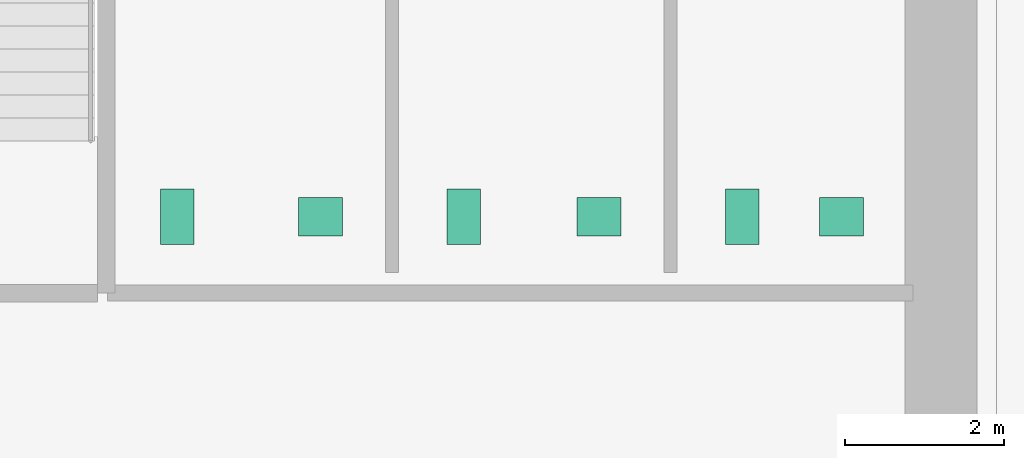
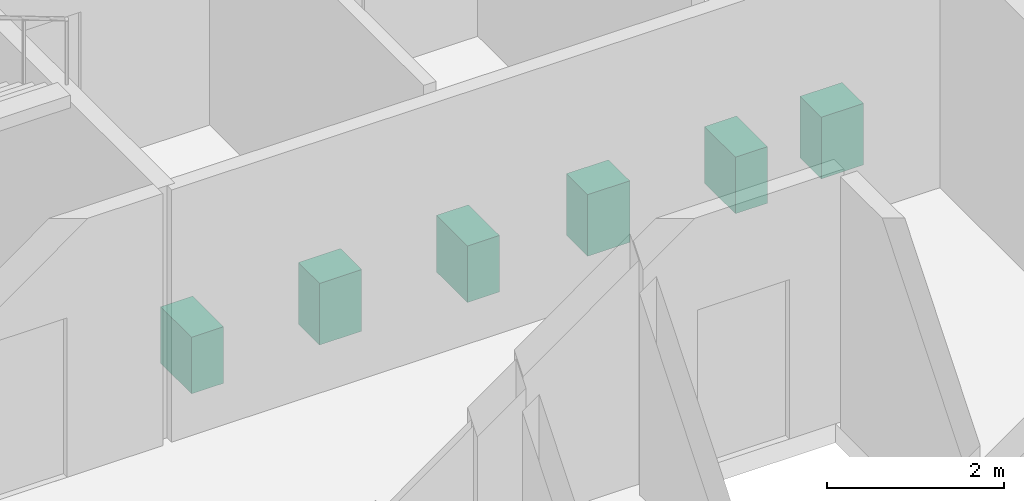
# One storey, part 15 of 15: 6 sanitary terminals.
"""IFC4 building model written with IfcOpenShell, lengths in metres."""

import ifcopenshell
import ifcopenshell.guid

model = None  # the IFC model being written
_history = None  # IfcOwnerHistory: only IFC2X3 demands one
_inside = {}  # id of a spatial element -> (the spatial element, [elements in it])
_under = {}  # id of a project, library or spatial element -> (it, [spatial elements below it])
_declared = {}  # id of a project -> (the project, [libraries it declares])
_typed = {}  # id of a type object -> (the type object, [elements of that type])
_made_of = {}  # id of a material, layer set ... -> (it, [elements and type objects made of it])


def new_model(schema):
    """Start an empty IFC model of exactly this schema.

    Asked for "IFC4X3", IfcOpenShell would pick the latest addendum, in which some entities
    have other attributes; the version numbers below select the first issue.
    IFC2X3 requires an IfcOwnerHistory on every rooted entity: one is made here for all.
    """
    global model, _history
    if schema == "IFC4X3":
        model = ifcopenshell.file(schema_version=(4, 3, 0, 0))
    else:
        model = ifcopenshell.file(schema=schema)
    _inside.clear()
    _under.clear()
    _declared.clear()
    _typed.clear()
    _made_of.clear()
    _history = None
    if model.schema == "IFC2X3":
        org = make("IfcOrganization", Name="unknown")
        user = make(
            "IfcPersonAndOrganization",
            ThePerson=make("IfcPerson", FamilyName="unknown"),
            TheOrganization=org,
        )
        app = make(
            "IfcApplication",
            ApplicationDeveloper=org,
            Version="unknown",
            ApplicationFullName="unknown",
            ApplicationIdentifier="unknown",
        )
        _history = make(
            "IfcOwnerHistory",
            OwningUser=user,
            OwningApplication=app,
            ChangeAction="ADDED",
            CreationDate=0,
        )
    return model


def make(cls, **values):
    """One entity of the class cls with the attributes given. An attribute that is None is left unset."""
    return model.create_entity(
        cls, **{name: value for name, value in values.items() if value is not None}
    )


def rooted(cls, **values):
    """An entity with a GlobalId (a new one), such as an element, a storey or a relation."""
    return make(cls, GlobalId=ifcopenshell.guid.new(), OwnerHistory=_history, **values)


def si_unit(unit_type, name, prefix=None):
    """IfcSIUnit, for example si_unit("LENGTHUNIT", "METRE", prefix="MILLI")."""
    return make("IfcSIUnit", UnitType=unit_type, Prefix=prefix, Name=name)


def assignment(units):
    """IfcUnitAssignment: the units of a project."""
    return None if units is None else make("IfcUnitAssignment", Units=units)


def point(xyz):
    """IfcCartesianPoint."""
    return None if xyz is None else make("IfcCartesianPoint", Coordinates=xyz)


def direction(xyz):
    """IfcDirection."""
    return None if xyz is None else make("IfcDirection", DirectionRatios=xyz)


def frame(location, z_axis=None, x_axis=None):
    """IfcAxis2Placement3D, a coordinate frame: its origin and axes. An axis left out is left unset."""
    return make(
        "IfcAxis2Placement3D",
        Location=point(location),
        Axis=direction(z_axis),
        RefDirection=direction(x_axis),
    )


def frame_2d(location, x_axis=None):
    """IfcAxis2Placement2D, a coordinate frame in the plane: its origin and x axis."""
    return make(
        "IfcAxis2Placement2D", Location=point(location), RefDirection=direction(x_axis)
    )


def origin():
    """The frame at (0, 0, 0) with its axes left unset."""
    return frame((0.0, 0.0, 0.0))


def origin_2d():
    """The frame at (0, 0) in the plane with its x axis left unset."""
    return frame_2d((0.0, 0.0))


def place(relative_to, where):
    """IfcLocalPlacement: puts the frame where relative to a parent placement (None: the world)."""
    return make(
        "IfcLocalPlacement", PlacementRelTo=relative_to, RelativePlacement=where
    )


def context(
    kind, dimensions, precision=None, world=None, true_north=None, identifier=None
):
    """IfcGeometricRepresentationContext, for example the 3D "Model" context."""
    return make(
        "IfcGeometricRepresentationContext",
        ContextIdentifier=identifier,
        ContextType=kind,
        CoordinateSpaceDimension=dimensions,
        Precision=precision,
        WorldCoordinateSystem=world,
        TrueNorth=true_north,
    )


def subcontext(parent, identifier, kind, view, scale=None):
    """IfcGeometricRepresentationSubContext, for example "Body" below "Model"."""
    return make(
        "IfcGeometricRepresentationSubContext",
        ContextIdentifier=identifier,
        ContextType=kind,
        ParentContext=parent,
        TargetScale=scale,
        TargetView=view,
    )


def project(units=None, contexts=None):
    """IfcProject with its units and contexts."""
    return rooted(
        "IfcProject",
        Name="project",
        RepresentationContexts=contexts,
        UnitsInContext=assignment(units),
    )


def spatial(cls, under=None, at=None, **own):
    """A site, building, storey or space (cls), placed at a placement, below another one or the project."""
    s = rooted(cls, ObjectPlacement=at, **own)
    if under is not None:
        _under.setdefault(under.id(), (under, []))[1].append(s)
    return s


def profile(cls, at=None, kind="AREA", **sizes):
    """A parametric profile (cls). Its sizes go by their IFC names, for example OverallWidth=200.0."""
    return make(cls, ProfileType=kind, Position=at, **sizes)


def rectangle(**sizes):
    """IfcRectangleProfileDef."""
    return profile("IfcRectangleProfileDef", **sizes)


def extrude(swept, where, along, depth):
    """IfcExtrudedAreaSolid: the profile swept, set in the frame where, extruded along a direction by depth."""
    return make(
        "IfcExtrudedAreaSolid",
        SweptArea=swept,
        Position=where,
        ExtrudedDirection=direction(along),
        Depth=depth,
    )


def shape(context_of_items, identifier, shape_type, items):
    """IfcShapeRepresentation: the items that make up one representation, for example the "Body"."""
    return make(
        "IfcShapeRepresentation",
        ContextOfItems=context_of_items,
        RepresentationIdentifier=identifier,
        RepresentationType=shape_type,
        Items=items,
    )


def material(Name=None, Category=None):
    """IfcMaterial."""
    return make("IfcMaterial", Name=Name, Category=Category)


def made_of(thing, what):
    """Note that an element or type object is made of a material, layer set ...; save() writes the relation."""
    if what is not None:
        _made_of.setdefault(what.id(), (what, []))[1].append(thing)
    return thing


def type_object(cls, material=None, **own):
    """A type object (cls), such as IfcWallType, which elements share."""
    return made_of(rooted(cls, **own), material)


def element(
    cls,
    number,
    at=None,
    inside=None,
    cuts=None,
    type_object=None,
    material=None,
    context=None,
    identifier="Body",
    shape_type=None,
    held_by="IfcProductDefinitionShape",
    body=None,
    shapes=None,
    **own,
):
    """One element of the class cls, such as IfcWall. Its Tag is "e" and its number.

    at: its placement. inside: the storey or other place that contains it. cuts: it is an
    opening in that element (IfcRelVoidsElement). A single representation is given by context,
    identifier, shape_type and body (its items); several are given by shapes. held_by: the class
    of the entity that holds the representations. save() writes the other relations.
    """
    e = rooted(cls, Tag="e%d" % number, ObjectPlacement=at, **own)
    if body is not None:
        shapes = [shape(context, identifier, shape_type, body)]
    if shapes is not None:
        e.Representation = make(held_by, Representations=shapes)
    if inside is not None:
        _inside.setdefault(inside.id(), (inside, []))[1].append(e)
    if cuts is not None:
        rooted(
            "IfcRelVoidsElement", RelatingBuildingElement=cuts, RelatedOpeningElement=e
        )
    if type_object is not None:
        _typed.setdefault(type_object.id(), (type_object, []))[1].append(e)
    return made_of(e, material)


def aggregate(whole, parts):
    """IfcRelAggregates: a whole, such as a stair, and the parts it consists of."""
    return rooted("IfcRelAggregates", RelatingObject=whole, RelatedObjects=parts)


def save(model, path):
    """Write the relations noted so far, then the file.

    IfcRelAggregates (storeys below a building ...), IfcRelContainedInSpatialStructure (elements
    in a storey), IfcRelDefinesByType, IfcRelAssociatesMaterial and IfcRelDeclares: one each for
    every whole, place, type object, material and project.
    """
    for whole, parts in _under.values():
        aggregate(whole, parts)
    for where, things in _inside.values():
        rooted(
            "IfcRelContainedInSpatialStructure",
            RelatedElements=things,
            RelatingStructure=where,
        )
    for kind, things in _typed.values():
        rooted("IfcRelDefinesByType", RelatedObjects=things, RelatingType=kind)
    for what, things in _made_of.values():
        rooted("IfcRelAssociatesMaterial", RelatedObjects=things, RelatingMaterial=what)
    for by, libraries in _declared.values():
        rooted("IfcRelDeclares", RelatingContext=by, RelatedDefinitions=libraries)
    model.write(path)


model = new_model("IFC4")

# Units and contexts
model_context = context("Model", 3, precision=1e-05, world=origin(), true_north=direction((0.0, 1.0)))
body_context = subcontext(model_context, "Body", "Model", "MODEL_VIEW")
ifc_project = project(units=[si_unit("LENGTHUNIT", "METRE"), si_unit("AREAUNIT", "SQUARE_METRE"), si_unit("VOLUMEUNIT", "CUBIC_METRE"), si_unit("PLANEANGLEUNIT", "RADIAN"), si_unit("MASSUNIT", "GRAM", prefix="KILO")], contexts=[model_context])

# Site, building, storey
site_placement = place(None, origin())
site = spatial("IfcSite", under=ifc_project, at=site_placement, CompositionType="ELEMENT")
building_placement = place(site_placement, origin())
building = spatial("IfcBuilding", under=site, at=building_placement, Name="Norrvale University Quadrangle", CompositionType="ELEMENT")
storey_placement = place(building_placement, frame((0.0, 0.0, 92.60009765625)))
storey = spatial("IfcBuildingStorey", under=building, at=storey_placement, Name="L23", CompositionType="ELEMENT", Elevation=92.60009765625)

# Sanitary terminals
ifc_material = material(Name="Vitreous China Sanitaryware")
sanitary_terminal_type_1 = type_object("IfcSanitaryTerminalType", Name="Sanitary Wash Basin", PredefinedType="WASHHANDBASIN", material=ifc_material)
for number, where, z_axis, x_axis, name in (
    (1, (9.0, 41.10009765625, -0.000244140625), (0.0, 0.0, 1.0), (1.0, 0.0, 0.0), "Accessible Countertop Washbasin L23-1"),
    (2, (12.5, 41.10009765625, -0.000244140625), (0.0, 0.0, 1.0), (1.0, 0.0, 0.0), "Accessible Countertop Washbasin L23-2"),
    (3, (15.550048828125, 41.10009765625, -0.000244140625), (0.0, 0.0, 1.0), (1.0, 0.0, 0.0), "Accessible Countertop Washbasin L23-3"),
):
    element("IfcSanitaryTerminal", number, at=place(storey_placement, frame(where, z_axis=z_axis, x_axis=x_axis)), inside=storey, type_object=sanitary_terminal_type_1, Name=name, PredefinedType="WASHHANDBASIN", context=body_context, shape_type="SweptSolid", body=[
        extrude(rectangle(XDim=0.550048828125, YDim=0.47998046875, at=origin_2d()), origin(), (0.0, 0.0, 1.0), 0.85009765625),
    ])
sanitary_terminal_type_2 = type_object("IfcSanitaryTerminalType", Name="Sanitary Water Closet", PredefinedType="TOILETPAN", material=ifc_material)
for number, where, z_axis, x_axis, name in (
    (4, (7.199951171875, 41.10009765625, 0.0), (0.0, 0.0, 1.0), (1.0, 0.0, 0.0), "Wall-Hung Water Closet L23-1"),
    (5, (10.800048828125, 41.10009765625, 0.0), (0.0, 0.0, 1.0), (1.0, 0.0, 0.0), "Wall-Hung Water Closet L23-2"),
    (6, (14.300048828125, 41.10009765625, 0.0), (0.0, 0.0, 1.0), (1.0, 0.0, 0.0), "Wall-Hung Water Closet L23-3"),
):
    element("IfcSanitaryTerminal", number, at=place(storey_placement, frame(where, z_axis=z_axis, x_axis=x_axis)), inside=storey, type_object=sanitary_terminal_type_2, Name=name, PredefinedType="TOILETPAN", context=body_context, shape_type="SweptSolid", body=[
        extrude(rectangle(XDim=0.419921875, YDim=0.699951171875, at=origin_2d()), origin(), (0.0, 0.0, 1.0), 0.780029296875),
    ])

save(model, "model.ifc")
